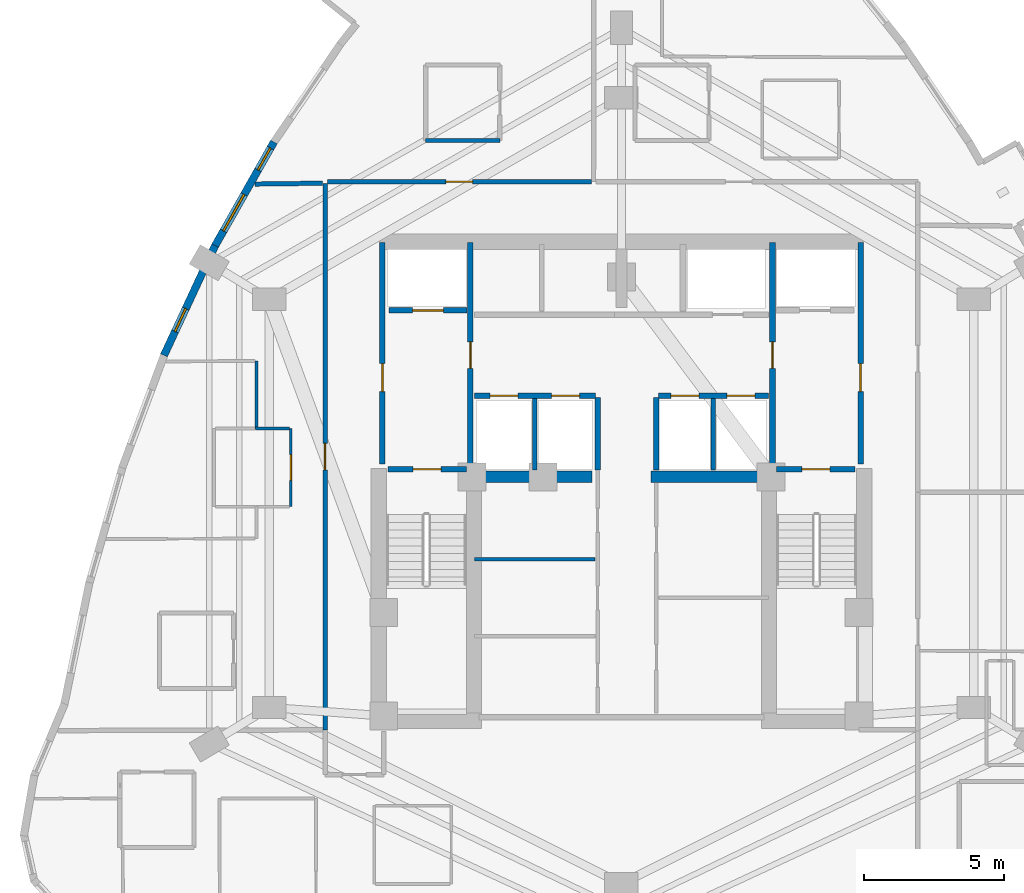
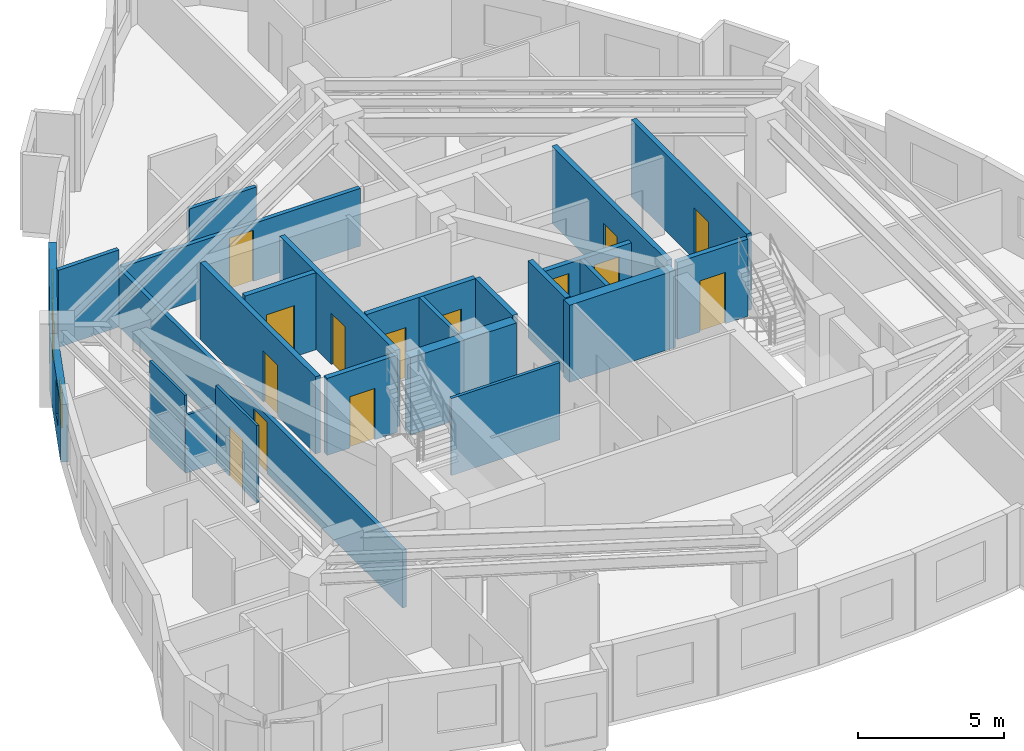
# One storey, part 7 of 11: 25 walls, 14 doors, 3 windows, 17 openings.
"""IFC4 building model written with IfcOpenShell, lengths in metres."""

import ifcopenshell
import ifcopenshell.guid

model = None  # the IFC model being written
_history = None  # IfcOwnerHistory: only IFC2X3 demands one
_inside = {}  # id of a spatial element -> (the spatial element, [elements in it])
_under = {}  # id of a project, library or spatial element -> (it, [spatial elements below it])
_declared = {}  # id of a project -> (the project, [libraries it declares])
_typed = {}  # id of a type object -> (the type object, [elements of that type])
_made_of = {}  # id of a material, layer set ... -> (it, [elements and type objects made of it])


def new_model(schema):
    """Start an empty IFC model of exactly this schema.

    Asked for "IFC4X3", IfcOpenShell would pick the latest addendum, in which some entities
    have other attributes; the version numbers below select the first issue.
    IFC2X3 requires an IfcOwnerHistory on every rooted entity: one is made here for all.
    """
    global model, _history
    if schema == "IFC4X3":
        model = ifcopenshell.file(schema_version=(4, 3, 0, 0))
    else:
        model = ifcopenshell.file(schema=schema)
    _inside.clear()
    _under.clear()
    _declared.clear()
    _typed.clear()
    _made_of.clear()
    _history = None
    if model.schema == "IFC2X3":
        org = make("IfcOrganization", Name="unknown")
        user = make(
            "IfcPersonAndOrganization",
            ThePerson=make("IfcPerson", FamilyName="unknown"),
            TheOrganization=org,
        )
        app = make(
            "IfcApplication",
            ApplicationDeveloper=org,
            Version="unknown",
            ApplicationFullName="unknown",
            ApplicationIdentifier="unknown",
        )
        _history = make(
            "IfcOwnerHistory",
            OwningUser=user,
            OwningApplication=app,
            ChangeAction="ADDED",
            CreationDate=0,
        )
    return model


def make(cls, **values):
    """One entity of the class cls with the attributes given. An attribute that is None is left unset."""
    return model.create_entity(
        cls, **{name: value for name, value in values.items() if value is not None}
    )


def rooted(cls, **values):
    """An entity with a GlobalId (a new one), such as an element, a storey or a relation."""
    return make(cls, GlobalId=ifcopenshell.guid.new(), OwnerHistory=_history, **values)


def si_unit(unit_type, name, prefix=None):
    """IfcSIUnit, for example si_unit("LENGTHUNIT", "METRE", prefix="MILLI")."""
    return make("IfcSIUnit", UnitType=unit_type, Prefix=prefix, Name=name)


def assignment(units):
    """IfcUnitAssignment: the units of a project."""
    return None if units is None else make("IfcUnitAssignment", Units=units)


def point(xyz):
    """IfcCartesianPoint."""
    return None if xyz is None else make("IfcCartesianPoint", Coordinates=xyz)


def direction(xyz):
    """IfcDirection."""
    return None if xyz is None else make("IfcDirection", DirectionRatios=xyz)


def frame(location, z_axis=None, x_axis=None):
    """IfcAxis2Placement3D, a coordinate frame: its origin and axes. An axis left out is left unset."""
    return make(
        "IfcAxis2Placement3D",
        Location=point(location),
        Axis=direction(z_axis),
        RefDirection=direction(x_axis),
    )


def frame_2d(location, x_axis=None):
    """IfcAxis2Placement2D, a coordinate frame in the plane: its origin and x axis."""
    return make(
        "IfcAxis2Placement2D", Location=point(location), RefDirection=direction(x_axis)
    )


def origin():
    """The frame at (0, 0, 0) with its axes left unset."""
    return frame((0.0, 0.0, 0.0))


def place(relative_to, where):
    """IfcLocalPlacement: puts the frame where relative to a parent placement (None: the world)."""
    return make(
        "IfcLocalPlacement", PlacementRelTo=relative_to, RelativePlacement=where
    )


def context(
    kind, dimensions, precision=None, world=None, true_north=None, identifier=None
):
    """IfcGeometricRepresentationContext, for example the 3D "Model" context."""
    return make(
        "IfcGeometricRepresentationContext",
        ContextIdentifier=identifier,
        ContextType=kind,
        CoordinateSpaceDimension=dimensions,
        Precision=precision,
        WorldCoordinateSystem=world,
        TrueNorth=true_north,
    )


def subcontext(parent, identifier, kind, view, scale=None):
    """IfcGeometricRepresentationSubContext, for example "Body" below "Model"."""
    return make(
        "IfcGeometricRepresentationSubContext",
        ContextIdentifier=identifier,
        ContextType=kind,
        ParentContext=parent,
        TargetScale=scale,
        TargetView=view,
    )


def project(units=None, contexts=None):
    """IfcProject with its units and contexts."""
    return rooted(
        "IfcProject",
        Name="project",
        RepresentationContexts=contexts,
        UnitsInContext=assignment(units),
    )


def spatial(cls, under=None, at=None, **own):
    """A site, building, storey or space (cls), placed at a placement, below another one or the project."""
    s = rooted(cls, ObjectPlacement=at, **own)
    if under is not None:
        _under.setdefault(under.id(), (under, []))[1].append(s)
    return s


def profile(cls, at=None, kind="AREA", **sizes):
    """A parametric profile (cls). Its sizes go by their IFC names, for example OverallWidth=200.0."""
    return make(cls, ProfileType=kind, Position=at, **sizes)


def rectangle(**sizes):
    """IfcRectangleProfileDef."""
    return profile("IfcRectangleProfileDef", **sizes)


def extrude(swept, where, along, depth):
    """IfcExtrudedAreaSolid: the profile swept, set in the frame where, extruded along a direction by depth."""
    return make(
        "IfcExtrudedAreaSolid",
        SweptArea=swept,
        Position=where,
        ExtrudedDirection=direction(along),
        Depth=depth,
    )


def shape(context_of_items, identifier, shape_type, items):
    """IfcShapeRepresentation: the items that make up one representation, for example the "Body"."""
    return make(
        "IfcShapeRepresentation",
        ContextOfItems=context_of_items,
        RepresentationIdentifier=identifier,
        RepresentationType=shape_type,
        Items=items,
    )


def material(Name=None, Category=None):
    """IfcMaterial."""
    return make("IfcMaterial", Name=Name, Category=Category)


def layer(
    of_material, thickness, ventilated=None, Name=None, Category=None, Priority=None
):
    """IfcMaterialLayer: one layer of a wall or slab, of a material (None: an air gap)."""
    return make(
        "IfcMaterialLayer",
        Material=of_material,
        LayerThickness=thickness,
        IsVentilated=ventilated,
        Name=Name,
        Category=Category,
        Priority=Priority,
    )


def layer_set(layers, Name=None):
    """IfcMaterialLayerSet."""
    return make("IfcMaterialLayerSet", MaterialLayers=layers, LayerSetName=Name)


def made_of(thing, what):
    """Note that an element or type object is made of a material, layer set ...; save() writes the relation."""
    if what is not None:
        _made_of.setdefault(what.id(), (what, []))[1].append(thing)
    return thing


def type_object(cls, material=None, **own):
    """A type object (cls), such as IfcWallType, which elements share."""
    return made_of(rooted(cls, **own), material)


def element(
    cls,
    number,
    at=None,
    inside=None,
    cuts=None,
    type_object=None,
    material=None,
    context=None,
    identifier="Body",
    shape_type=None,
    held_by="IfcProductDefinitionShape",
    body=None,
    shapes=None,
    **own,
):
    """One element of the class cls, such as IfcWall. Its Tag is "e" and its number.

    at: its placement. inside: the storey or other place that contains it. cuts: it is an
    opening in that element (IfcRelVoidsElement). A single representation is given by context,
    identifier, shape_type and body (its items); several are given by shapes. held_by: the class
    of the entity that holds the representations. save() writes the other relations.
    """
    e = rooted(cls, Tag="e%d" % number, ObjectPlacement=at, **own)
    if body is not None:
        shapes = [shape(context, identifier, shape_type, body)]
    if shapes is not None:
        e.Representation = make(held_by, Representations=shapes)
    if inside is not None:
        _inside.setdefault(inside.id(), (inside, []))[1].append(e)
    if cuts is not None:
        rooted(
            "IfcRelVoidsElement", RelatingBuildingElement=cuts, RelatedOpeningElement=e
        )
    if type_object is not None:
        _typed.setdefault(type_object.id(), (type_object, []))[1].append(e)
    return made_of(e, material)


def fill(opening, filler):
    """IfcRelFillsElement: the door or window that sits in an opening."""
    return rooted(
        "IfcRelFillsElement",
        RelatingOpeningElement=opening,
        RelatedBuildingElement=filler,
    )


def aggregate(whole, parts):
    """IfcRelAggregates: a whole, such as a stair, and the parts it consists of."""
    return rooted("IfcRelAggregates", RelatingObject=whole, RelatedObjects=parts)


def save(model, path):
    """Write the relations noted so far, then the file.

    IfcRelAggregates (storeys below a building ...), IfcRelContainedInSpatialStructure (elements
    in a storey), IfcRelDefinesByType, IfcRelAssociatesMaterial and IfcRelDeclares: one each for
    every whole, place, type object, material and project.
    """
    for whole, parts in _under.values():
        aggregate(whole, parts)
    for where, things in _inside.values():
        rooted(
            "IfcRelContainedInSpatialStructure",
            RelatedElements=things,
            RelatingStructure=where,
        )
    for kind, things in _typed.values():
        rooted("IfcRelDefinesByType", RelatedObjects=things, RelatingType=kind)
    for what, things in _made_of.values():
        rooted("IfcRelAssociatesMaterial", RelatedObjects=things, RelatingMaterial=what)
    for by, libraries in _declared.values():
        rooted("IfcRelDeclares", RelatingContext=by, RelatedDefinitions=libraries)
    model.write(path)


model = new_model("IFC4")

# Units and contexts
model_context = context("Model", 3, precision=1e-05, world=origin(), true_north=direction((0.0, 1.0)))
body_context = subcontext(model_context, "Body", "Model", "MODEL_VIEW")
ifc_project = project(units=[si_unit("LENGTHUNIT", "METRE"), si_unit("AREAUNIT", "SQUARE_METRE"), si_unit("VOLUMEUNIT", "CUBIC_METRE"), si_unit("PLANEANGLEUNIT", "RADIAN"), si_unit("MASSUNIT", "GRAM", prefix="KILO")], contexts=[model_context])

# Site, building, storey
site_placement = place(None, origin())
site = spatial("IfcSite", under=ifc_project, at=site_placement, CompositionType="ELEMENT")
building_placement = place(site_placement, origin())
building = spatial("IfcBuilding", under=site, at=building_placement, Name="Miruveldt Soraemaru", CompositionType="ELEMENT")
storey_placement = place(building_placement, frame((0.0, 0.0, 156.39990234375)))
storey = spatial("IfcBuildingStorey", under=building, at=storey_placement, Name="L43", CompositionType="ELEMENT", Elevation=156.39990234375)

# Walls
ifc_material_1 = material(Name="Concrete C70/85 (70 MPa)", Category="concrete")
ifc_layer_1 = layer(ifc_material_1, 0.5, Name="Concrete C70/85 (70 MPa)", Category="concrete")
ifc_layer_set_1 = layer_set([ifc_layer_1], Name="Concrete C70/85 (70 MPa)")
wall_type_1 = type_object("IfcWallType", Name="WALL-BW-500", PredefinedType="SHEAR", material=ifc_layer_set_1)
for number, where, z_axis, x_axis, name in (
    (1, (38.75, 44.050048828125, 0.0), (0.0, 0.0, 1.0), (1.0, 0.0, 0.0), "L43 Core Buttress Shear Wall BW"),
    (2, (45.050048828125, 44.050048828125, 0.0), (0.0, 0.0, 1.0), (1.0, 0.0, 0.0), "L43 Core Buttress Shear Wall BE"),
):
    element("IfcWall", number, at=place(storey_placement, frame(where, z_axis=z_axis, x_axis=x_axis)), inside=storey, type_object=wall_type_1, Name=name, PredefinedType="SHEAR", context=body_context, shape_type="SweptSolid", body=[
        extrude(rectangle(XDim=4.199951171875, YDim=0.39990234375, at=frame_2d((2.10009765625, 0.0))), origin(), (0.0, 0.0, 1.0), 3.235107421875),
    ])

# Wall, openings, windows
ifc_material_2 = material(Name="Precast concrete C45/55 (45 MPa)", Category="concrete")
ifc_layer_2 = layer(ifc_material_2, 0.27001953125, Name="Precast concrete C45/55 (45 MPa)", Category="concrete")
ifc_layer_set_2 = layer_set([ifc_layer_2], Name="Precast concrete C45/55 (45 MPa)")
wall_type_2 = type_object("IfcWallType", Name="WALL-EXT-PC270", PredefinedType="SOLIDWALL", material=ifc_layer_set_2)
wall_1_placement = place(storey_placement, frame((31.572998046875, 56.025390625, 0.0), z_axis=(0.0, 0.0, 1.0), x_axis=(-0.493368115597, -0.869820615134, 0.0)))
wall_1 = element("IfcWall", 3, at=wall_1_placement, inside=storey, type_object=wall_type_2, Name="L43 Precast Concrete Facade Wall 10", PredefinedType="SOLIDWALL", context=body_context, shape_type="SweptSolid", body=[
    extrude(rectangle(XDim=4.330810546875, YDim=0.27001953125, at=frame_2d((2.16552734375, 0.0))), origin(), (0.0, 0.0, 1.0), 3.235107421875),
])
opening_1_placement = place(wall_1_placement, frame((0.25390625, 0.0, 0.780029296875)))
opening_1 = element("IfcOpeningElement", 4, at=opening_1_placement, cuts=wall_1, Name="Opening WN-7", PredefinedType="OPENING", context=body_context, shape_type="SweptSolid", body=[
    extrude(rectangle(XDim=0.89990234375, YDim=1.5, at=frame_2d((0.449951171875, 0.75))), frame((0.0, 0.14501953125, 0.0), z_axis=(0.0, -1.0, 0.0), x_axis=(1.0, 0.0, 0.0)), (0.0, 0.0, 1.0), 0.2900390625),
])
opening_2_placement = place(wall_1_placement, frame((2.158935546875, 0.0, 0.800048828125)))
opening_2 = element("IfcOpeningElement", 5, at=opening_2_placement, cuts=wall_1, Name="Opening WN-3", PredefinedType="OPENING", context=body_context, shape_type="SweptSolid", body=[
    extrude(rectangle(XDim=1.5, YDim=1.60009765625, at=frame_2d((0.75, 0.800048828125))), frame((0.0, 0.14501953125, 0.0), z_axis=(0.0, -1.0, 0.0), x_axis=(1.0, 0.0, 0.0)), (0.0, 0.0, 1.0), 0.2900390625),
])
ifc_material_3 = material(Name="Triple low-e insulated glazing", Category="glass")
window_type_1 = type_object("IfcWindowType", Name="WIN-PUNCH-1500x1600", PartitioningType="SINGLE_PANEL", PredefinedType="WINDOW", material=ifc_material_3)
window_1_placement = place(opening_2_placement, origin())
window_1 = element("IfcWindow", 6, at=window_1_placement, inside=storey, type_object=window_type_1, Name="L43 Punched Triple-Glazed Window 10.2", OverallHeight=1.60009765625, OverallWidth=1.5, PartitioningType="SINGLE_PANEL", PredefinedType="WINDOW", context=body_context, shape_type="SweptSolid", body=[
    extrude(rectangle(XDim=1.5, YDim=1.60009765625, at=frame_2d((0.75, 0.800048828125))), frame((0.0, 0.030029296875, 0.0), z_axis=(0.0, -1.0, 0.0), x_axis=(1.0, 0.0, 0.0)), (0.0, 0.0, 1.0), 0.06005859375),
])
fill(opening_2, window_1)
window_type_2 = type_object("IfcWindowType", Name="WIN-PUNCH-900x1500", PartitioningType="SINGLE_PANEL", PredefinedType="WINDOW", material=ifc_material_3)
window_2_placement = place(opening_1_placement, origin())
window_2 = element("IfcWindow", 7, at=window_2_placement, inside=storey, type_object=window_type_2, Name="L43 Punched Triple-Glazed Window 10.1", OverallHeight=1.5, OverallWidth=0.89990234375, PartitioningType="SINGLE_PANEL", PredefinedType="WINDOW", context=body_context, shape_type="SweptSolid", body=[
    extrude(rectangle(XDim=0.89990234375, YDim=1.5, at=frame_2d((0.449951171875, 0.75))), frame((0.0, 0.030029296875, 0.0), z_axis=(0.0, -1.0, 0.0), x_axis=(1.0, 0.0, 0.0)), (0.0, 0.0, 1.0), 0.06005859375),
])
fill(opening_1, window_2)

# Wall, opening, window
wall_2_placement = place(storey_placement, frame((29.46826171875, 52.3203125, 0.0), z_axis=(0.0, 0.0, 1.0), x_axis=(-0.422329907361, -0.906442193054, 0.0)))
wall_2 = element("IfcWall", 8, at=wall_2_placement, inside=storey, type_object=wall_type_2, Name="L43 Precast Concrete Facade Wall 11", PredefinedType="SOLIDWALL", context=body_context, shape_type="SweptSolid", body=[
    extrude(rectangle(XDim=4.3310546875, YDim=0.27001953125, at=frame_2d((2.16552734375, 0.0))), origin(), (0.0, 0.0, 1.0), 2.423095703125),
])
opening_3_placement = place(wall_2_placement, frame((2.487060546875, 0.0, 0.762939453125)))
opening_3 = element("IfcOpeningElement", 9, at=opening_3_placement, cuts=wall_2, Name="Opening WN-7", PredefinedType="OPENING", context=body_context, shape_type="SweptSolid", body=[
    extrude(rectangle(XDim=0.89990234375, YDim=1.5, at=frame_2d((0.449951171875, 0.75))), frame((0.0, 0.14501953125, 0.0), z_axis=(0.0, -1.0, 0.0), x_axis=(1.0, 0.0, 0.0)), (0.0, 0.0, 1.0), 0.2900390625),
])
window_3_placement = place(opening_3_placement, origin())
window_3 = element("IfcWindow", 10, at=window_3_placement, inside=storey, type_object=window_type_2, Name="L43 Punched Triple-Glazed Window 11.1", OverallHeight=1.5, OverallWidth=0.89990234375, PartitioningType="SINGLE_PANEL", PredefinedType="WINDOW", context=body_context, shape_type="SweptSolid", body=[
    extrude(rectangle(XDim=0.89990234375, YDim=1.5, at=frame_2d((0.449951171875, 0.75))), frame((0.0, 0.030029296875, 0.0), z_axis=(0.0, -1.0, 0.0), x_axis=(1.0, 0.0, 0.0)), (0.0, 0.0, 1.0), 0.06005859375),
])
fill(opening_3, window_3)

# Wall, opening, door
ifc_material_4 = material(Name="Gypsum plasterboard lining", Category="gypsum")
ifc_layer_3 = layer(ifc_material_4, 0.10009765625, Name="Gypsum plasterboard lining", Category="gypsum")
ifc_layer_set_3 = layer_set([ifc_layer_3], Name="Gypsum plasterboard lining")
wall_type_3 = type_object("IfcWallType", Name="WALL-INT-P100", PredefinedType="PARTITIONING", material=ifc_layer_set_3)
wall_3_placement = place(storey_placement, frame((32.177001953125, 42.98095703125, 0.0), z_axis=(0.0, 0.0, 1.0), x_axis=(0.0, 1.0, 0.0)))
wall_3 = element("IfcWall", 11, at=wall_3_placement, inside=storey, type_object=wall_type_3, Name="L43 Partition Wall 35", PredefinedType="PARTITIONING", context=body_context, shape_type="SweptSolid", body=[
    extrude(rectangle(XDim=2.800048828125, YDim=0.10009765625, at=frame_2d((1.39990234375, 0.0))), origin(), (0.0, 0.0, 1.0), 3.235107421875),
])
opening_4_placement = place(wall_3_placement, frame((0.93994140625, 0.0, 0.0)))
opening_4 = element("IfcOpeningElement", 12, at=opening_4_placement, cuts=wall_3, Name="Opening D3A", PredefinedType="OPENING", context=body_context, shape_type="SweptSolid", body=[
    extrude(rectangle(XDim=0.919921875, YDim=2.10009765625, at=frame_2d((0.4599609375, 1.050048828125))), frame((0.0, 0.06005859375, 0.0), z_axis=(0.0, -1.0, 0.0), x_axis=(1.0, 0.0, 0.0)), (0.0, 0.0, 1.0), 0.1201171875),
])
ifc_material_5 = material(Name="Anodised aluminium EN AW-6063 T6", Category="aluminium")
door_type_1 = type_object("IfcDoorType", Name="DOOR-INT-920", OperationType="NOTDEFINED", PredefinedType="DOOR", material=ifc_material_5)
door_1_placement = place(opening_4_placement, origin())
door_1 = element("IfcDoor", 13, at=door_1_placement, inside=storey, type_object=door_type_1, Name="L43 Unit 4303 KIT Door", OperationType="SINGLE_SWING_LEFT", OverallHeight=2.10009765625, OverallWidth=0.919921875, PredefinedType="DOOR", context=body_context, shape_type="SweptSolid", body=[
    extrude(rectangle(XDim=0.919921875, YDim=2.10009765625, at=frame_2d((0.4599609375, 1.050048828125))), frame((0.0, 0.02490234375, 0.0), z_axis=(0.0, -1.0, 0.0), x_axis=(1.0, 0.0, 0.0)), (0.0, 0.0, 1.0), 0.050048828125),
])
fill(opening_4, door_1)

# Walls
wall_4_placement = place(storey_placement, frame((30.949951171875, 48.196044921875, 0.0), z_axis=(0.0, 0.0, 1.0), x_axis=(0.0, -1.0, 0.0)))
element("IfcWall", 14, at=wall_4_placement, inside=storey, type_object=wall_type_3, Name="L43 Partition Wall 39", PredefinedType="PARTITIONING", context=body_context, shape_type="SweptSolid", body=[
    extrude(rectangle(XDim=2.4150390625, YDim=0.10009765625, at=frame_2d((1.20751953125, 0.0))), origin(), (0.0, 0.0, 1.0), 3.235107421875),
])
wall_5_placement = place(storey_placement, frame((32.126953125, 45.781005859375, 0.0), z_axis=(0.0, 0.0, 1.0), x_axis=(-1.0, 0.0, 0.0)))
element("IfcWall", 15, at=wall_5_placement, inside=storey, type_object=wall_type_3, Name="L43 Partition Wall 36", PredefinedType="PARTITIONING", context=body_context, shape_type="SweptSolid", body=[
    extrude(rectangle(XDim=1.217041015625, YDim=0.10009765625, at=frame_2d((0.6083984375, 0.0))), origin(), (0.0, 0.0, 1.0), 2.423095703125),
])
ifc_layer_4 = layer(ifc_material_4, 0.1201171875, Name="Gypsum plasterboard lining", Category="gypsum")
ifc_layer_set_4 = layer_set([ifc_layer_4], Name="Gypsum plasterboard lining")
wall_type_4 = type_object("IfcWallType", Name="WALL-INT-P120", PredefinedType="PARTITIONING", material=ifc_layer_set_4)
wall_6_placement = place(storey_placement, frame((38.75, 41.10009765625, 0.0), z_axis=(0.0, 0.0, 1.0), x_axis=(1.0, 0.0, 0.0)))
element("IfcWall", 16, at=wall_6_placement, inside=storey, type_object=wall_type_4, Name="L43 Core Compartment Wall RL-W3B", PredefinedType="PARTITIONING", context=body_context, shape_type="SweptSolid", body=[
    extrude(rectangle(XDim=4.300048828125, YDim=0.1201171875, at=frame_2d((2.14990234375, 0.0))), origin(), (0.0, 0.0, 1.0), 3.235107421875),
])
ifc_layer_5 = layer(ifc_material_4, 0.14990234375, Name="Gypsum plasterboard lining", Category="gypsum")
ifc_layer_set_5 = layer_set([ifc_layer_5], Name="Gypsum plasterboard lining")
wall_type_5 = type_object("IfcWallType", Name="WALL-INT-PLUMB", PredefinedType="PLUMBINGWALL", material=ifc_layer_set_5)
wall_7_placement = place(storey_placement, frame((37.0, 56.080078125, 0.0), z_axis=(0.0, 0.0, 1.0), x_axis=(1.0, 0.0, 0.0)))
element("IfcWall", 17, at=wall_7_placement, inside=storey, type_object=wall_type_5, Name="L43 Partition Wall 14", PredefinedType="PLUMBINGWALL", context=body_context, shape_type="SweptSolid", body=[
    extrude(rectangle(XDim=2.64990234375, YDim=0.14990234375, at=frame_2d((1.324951171875, 0.0))), origin(), (0.0, 0.0, 1.0), 2.72314453125),
])

# Wall, opening, door
ifc_material_6 = material(Name="Concrete C40/50 (40 MPa)", Category="concrete")
ifc_layer_6 = layer(ifc_material_6, 0.159912109375, Name="Concrete C40/50 (40 MPa)", Category="concrete")
ifc_layer_set_6 = layer_set([ifc_layer_6], Name="Concrete C40/50 (40 MPa)")
wall_type_6 = type_object("IfcWallType", Name="WALL-INT-RC160", PredefinedType="SOLIDWALL", material=ifc_layer_set_6)
wall_8_placement = place(storey_placement, frame((33.39990234375, 54.544921875, 0.0), z_axis=(0.0, 0.0, 1.0), x_axis=(0.0, -1.0, 0.0)))
wall_8 = element("IfcWall", 18, at=wall_8_placement, inside=storey, type_object=wall_type_6, Name="L43 Partition Wall 4", PredefinedType="SOLIDWALL", context=body_context, shape_type="SweptSolid", body=[
    extrude(rectangle(XDim=19.5400390625, YDim=0.159912109375, at=frame_2d((9.77001953125, 0.0))), origin(), (0.0, 0.0, 1.0), 2.423095703125),
])
opening_5_placement = place(wall_8_placement, frame((9.294921875, 0.0, 0.0)))
opening_5 = element("IfcOpeningElement", 19, at=opening_5_placement, cuts=wall_8, Name="Opening FD2", PredefinedType="OPENING", context=body_context, shape_type="SweptSolid", body=[
    extrude(rectangle(XDim=0.949951171875, YDim=2.14990234375, at=frame_2d((0.47509765625, 1.074951171875))), frame((0.0, 0.08984375, 0.0), z_axis=(0.0, -1.0, 0.0), x_axis=(1.0, 0.0, 0.0)), (0.0, 0.0, 1.0), 0.179931640625),
])
door_type_2 = type_object("IfcDoorType", Name="DOOR-FD2-950", OperationType="NOTDEFINED", PredefinedType="DOOR", material=ifc_material_5)
door_2_placement = place(opening_5_placement, origin())
door_2 = element("IfcDoor", 20, at=door_2_placement, inside=storey, type_object=door_type_2, Name="L43 Unit 4303 Entrance Fire Door", OperationType="SINGLE_SWING_LEFT", OverallHeight=2.14990234375, OverallWidth=0.949951171875, PredefinedType="DOOR", context=body_context, shape_type="SweptSolid", body=[
    extrude(rectangle(XDim=0.949951171875, YDim=2.14990234375, at=frame_2d((0.47509765625, 1.074951171875))), frame((0.0, 0.02490234375, 0.0), z_axis=(0.0, -1.0, 0.0), x_axis=(1.0, 0.0, 0.0)), (0.0, 0.0, 1.0), 0.050048828125),
])
fill(opening_5, door_2)

wall_9_placement = place(storey_placement, frame((42.919921875, 54.60009765625, 0.0), z_axis=(0.0, 0.0, 1.0), x_axis=(-1.0, 0.0, 0.0)))
wall_9 = element("IfcWall", 21, at=wall_9_placement, inside=storey, type_object=wall_type_6, Name="L43 Partition Wall 1", PredefinedType="SOLIDWALL", context=body_context, shape_type="SweptSolid", body=[
    extrude(rectangle(XDim=9.43994140625, YDim=0.159912109375, at=frame_2d((4.719970703125, 0.0))), origin(), (0.0, 0.0, 1.0), 2.423095703125),
])
opening_6_placement = place(wall_9_placement, frame((4.2451171875, 0.0, 0.0)))
opening_6 = element("IfcOpeningElement", 22, at=opening_6_placement, cuts=wall_9, Name="Opening FD2", PredefinedType="OPENING", context=body_context, shape_type="SweptSolid", body=[
    extrude(rectangle(XDim=0.949951171875, YDim=2.14990234375, at=frame_2d((0.47509765625, 1.074951171875))), frame((0.0, 0.08984375, 0.0), z_axis=(0.0, -1.0, 0.0), x_axis=(1.0, 0.0, 0.0)), (0.0, 0.0, 1.0), 0.179931640625),
])
door_3_placement = place(opening_6_placement, origin())
door_3 = element("IfcDoor", 23, at=door_3_placement, inside=storey, type_object=door_type_2, Name="L43 Unit CL01 Entrance Fire Door", OperationType="SINGLE_SWING_RIGHT", OverallHeight=2.14990234375, OverallWidth=0.949951171875, PredefinedType="DOOR", context=body_context, shape_type="SweptSolid", body=[
    extrude(rectangle(XDim=0.949951171875, YDim=2.14990234375, at=frame_2d((0.47509765625, 1.074951171875))), frame((0.0, 0.02490234375, 0.0), z_axis=(0.0, -1.0, 0.0), x_axis=(1.0, 0.0, 0.0)), (0.0, 0.0, 1.0), 0.050048828125),
])
fill(opening_6, door_3)

# Walls
wall_10_placement = place(storey_placement, frame((40.89990234375, 44.300048828125, 0.0), z_axis=(0.0, 0.0, 1.0), x_axis=(0.0, 1.0, 0.0)))
element("IfcWall", 24, at=wall_10_placement, inside=storey, type_object=wall_type_6, Name="L43 Core Compartment Wall PLM-DW", PredefinedType="SOLIDWALL", context=body_context, shape_type="SweptSolid", body=[
    extrude(rectangle(XDim=2.550048828125, YDim=0.159912109375, at=frame_2d((1.27490234375, 0.0))), origin(), (0.0, 0.0, 1.0), 3.235107421875),
])
wall_11_placement = place(storey_placement, frame((47.280029296875, 44.300048828125, 0.0), z_axis=(0.0, 0.0, 1.0), x_axis=(0.0, 1.0, 0.0)))
element("IfcWall", 25, at=wall_11_placement, inside=storey, type_object=wall_type_6, Name="L43 Core Compartment Wall PLM-DE", PredefinedType="SOLIDWALL", context=body_context, shape_type="SweptSolid", body=[
    extrude(rectangle(XDim=2.550048828125, YDim=0.159912109375, at=frame_2d((1.27490234375, 0.0))), origin(), (0.0, 0.0, 1.0), 2.572998046875),
])
wall_12_placement = place(storey_placement, frame((30.889892578125, 54.51806640625, 0.0), z_axis=(0.0, 0.0, 1.0), x_axis=(0.999918273419, 0.01278461902, 0.0)))
element("IfcWall", 26, at=wall_12_placement, inside=storey, type_object=wall_type_6, Name="L43 Partition Wall 16", PredefinedType="SOLIDWALL", context=body_context, shape_type="SweptSolid", body=[
    extrude(rectangle(XDim=2.42529296875, YDim=0.159912109375, at=frame_2d((1.212646484375, 0.0))), origin(), (0.0, 0.0, 1.0), 3.235107421875),
])

# Wall, opening, door
ifc_layer_7 = layer(ifc_material_6, 0.199951171875, Name="Concrete C40/50 (40 MPa)", Category="concrete")
ifc_layer_set_7 = layer_set([ifc_layer_7], Name="Concrete C40/50 (40 MPa)")
wall_type_7 = type_object("IfcWallType", Name="WALL-INT-RC200", PredefinedType="SOLIDWALL", material=ifc_layer_set_7)
wall_13_placement = place(storey_placement, frame((35.449951171875, 44.5, 0.0), z_axis=(0.0, 0.0, 1.0), x_axis=(0.0, 1.0, 0.0)))
wall_13 = element("IfcWall", 27, at=wall_13_placement, inside=storey, type_object=wall_type_7, Name="L43 Core Compartment Wall FFW-OUT", PredefinedType="SOLIDWALL", context=body_context, shape_type="SweptSolid", body=[
    extrude(rectangle(XDim=7.919921875, YDim=0.199951171875, at=frame_2d((3.9599609375, 0.0))), origin(), (0.0, 0.0, 1.0), 3.235107421875),
])
opening_7_placement = place(wall_13_placement, frame((2.60009765625, 0.0, 0.0)))
opening_7 = element("IfcOpeningElement", 28, at=opening_7_placement, cuts=wall_13, Name="Opening FD1", PredefinedType="OPENING", context=body_context, shape_type="SweptSolid", body=[
    extrude(rectangle(XDim=1.0, YDim=2.14990234375, at=frame_2d((0.5, 1.074951171875))), frame((0.0, 0.10986328125, 0.0), z_axis=(0.0, -1.0, 0.0), x_axis=(1.0, 0.0, 0.0)), (0.0, 0.0, 1.0), 0.219970703125),
])
door_type_3 = type_object("IfcDoorType", Name="DOOR-FD1-1000", OperationType="NOTDEFINED", PredefinedType="DOOR", material=ifc_material_5)
door_4_placement = place(opening_7_placement, origin())
door_4 = element("IfcDoor", 29, at=door_4_placement, inside=storey, type_object=door_type_3, Name="L43 West Firefighting Lobby Exit Door", OperationType="SINGLE_SWING_LEFT", OverallHeight=2.14990234375, OverallWidth=1.0, PredefinedType="DOOR", context=body_context, shape_type="SweptSolid", body=[
    extrude(rectangle(XDim=1.0, YDim=2.14990234375, at=frame_2d((0.5, 1.074951171875))), frame((0.0, 0.02490234375, 0.0), z_axis=(0.0, -1.0, 0.0), x_axis=(1.0, 0.0, 0.0)), (0.0, 0.0, 1.0), 0.050048828125),
])
fill(opening_7, door_4)

wall_14_placement = place(storey_placement, frame((52.550048828125, 44.5, 0.0), z_axis=(0.0, 0.0, 1.0), x_axis=(0.0, 1.0, 0.0)))
wall_14 = element("IfcWall", 30, at=wall_14_placement, inside=storey, type_object=wall_type_7, Name="L43 Core Compartment Wall FFE-OUT", PredefinedType="SOLIDWALL", context=body_context, shape_type="SweptSolid", body=[
    extrude(rectangle(XDim=7.919921875, YDim=0.199951171875, at=frame_2d((3.9599609375, 0.0))), origin(), (0.0, 0.0, 1.0), 3.235107421875),
])
opening_8_placement = place(wall_14_placement, frame((2.60009765625, 0.0, 0.0)))
opening_8 = element("IfcOpeningElement", 31, at=opening_8_placement, cuts=wall_14, Name="Opening FD1", PredefinedType="OPENING", context=body_context, shape_type="SweptSolid", body=[
    extrude(rectangle(XDim=1.0, YDim=2.14990234375, at=frame_2d((0.5, 1.074951171875))), frame((0.0, 0.10986328125, 0.0), z_axis=(0.0, -1.0, 0.0), x_axis=(1.0, 0.0, 0.0)), (0.0, 0.0, 1.0), 0.219970703125),
])
door_5_placement = place(opening_8_placement, frame((1.0, 0.0, 0.0), z_axis=(0.0, 0.0, 1.0), x_axis=(-1.0, 0.0, 0.0)))
door_5 = element("IfcDoor", 32, at=door_5_placement, inside=storey, type_object=door_type_3, Name="L43 East Firefighting Lobby Exit Door", OperationType="SINGLE_SWING_RIGHT", OverallHeight=2.14990234375, OverallWidth=1.0, PredefinedType="DOOR", context=body_context, shape_type="SweptSolid", body=[
    extrude(rectangle(XDim=1.0, YDim=2.14990234375, at=frame_2d((0.5, 1.074951171875))), frame((0.0, 0.02490234375, 0.0), z_axis=(0.0, -1.0, 0.0), x_axis=(1.0, 0.0, 0.0)), (0.0, 0.0, 1.0), 0.050048828125),
])
fill(opening_8, door_5)

wall_15_placement = place(storey_placement, frame((38.60009765625, 44.5, 0.0), z_axis=(0.0, 0.0, 1.0), x_axis=(0.0, 1.0, 0.0)))
wall_15 = element("IfcWall", 33, at=wall_15_placement, inside=storey, type_object=wall_type_7, Name="L43 Core Compartment Wall FFW-IN", PredefinedType="SOLIDWALL", context=body_context, shape_type="SweptSolid", body=[
    extrude(rectangle(XDim=7.919921875, YDim=0.199951171875, at=frame_2d((3.9599609375, 0.0))), origin(), (0.0, 0.0, 1.0), 3.235107421875),
])
opening_9_placement = place(wall_15_placement, frame((3.425048828125, 0.0, 0.0)))
opening_9 = element("IfcOpeningElement", 34, at=opening_9_placement, cuts=wall_15, Name="Opening FD2", PredefinedType="OPENING", context=body_context, shape_type="SweptSolid", body=[
    extrude(rectangle(XDim=0.949951171875, YDim=2.14990234375, at=frame_2d((0.47509765625, 1.074951171875))), frame((0.0, 0.10986328125, 0.0), z_axis=(0.0, -1.0, 0.0), x_axis=(1.0, 0.0, 0.0)), (0.0, 0.0, 1.0), 0.219970703125),
])
door_6_placement = place(opening_9_placement, frame((0.949951171875, 0.0, 0.0), z_axis=(0.0, 0.0, 1.0), x_axis=(-1.0, 0.0, 0.0)))
door_6 = element("IfcDoor", 35, at=door_6_placement, inside=storey, type_object=door_type_2, Name="L43 Lift Lobby to West Fire Lobby Door", OperationType="SINGLE_SWING_RIGHT", OverallHeight=2.14990234375, OverallWidth=0.949951171875, PredefinedType="DOOR", context=body_context, shape_type="SweptSolid", body=[
    extrude(rectangle(XDim=0.949951171875, YDim=2.14990234375, at=frame_2d((0.47509765625, 1.074951171875))), frame((0.0, 0.02490234375, 0.0), z_axis=(0.0, -1.0, 0.0), x_axis=(1.0, 0.0, 0.0)), (0.0, 0.0, 1.0), 0.050048828125),
])
fill(opening_9, door_6)

wall_16_placement = place(storey_placement, frame((49.39990234375, 44.5, 0.0), z_axis=(0.0, 0.0, 1.0), x_axis=(0.0, 1.0, 0.0)))
wall_16 = element("IfcWall", 36, at=wall_16_placement, inside=storey, type_object=wall_type_7, Name="L43 Core Compartment Wall FFE-IN", PredefinedType="SOLIDWALL", context=body_context, shape_type="SweptSolid", body=[
    extrude(rectangle(XDim=7.919921875, YDim=0.199951171875, at=frame_2d((3.9599609375, 0.0))), origin(), (0.0, 0.0, 1.0), 3.235107421875),
])
opening_10_placement = place(wall_16_placement, frame((3.425048828125, 0.0, 0.0)))
opening_10 = element("IfcOpeningElement", 37, at=opening_10_placement, cuts=wall_16, Name="Opening FD2", PredefinedType="OPENING", context=body_context, shape_type="SweptSolid", body=[
    extrude(rectangle(XDim=0.949951171875, YDim=2.14990234375, at=frame_2d((0.47509765625, 1.074951171875))), frame((0.0, 0.10986328125, 0.0), z_axis=(0.0, -1.0, 0.0), x_axis=(1.0, 0.0, 0.0)), (0.0, 0.0, 1.0), 0.219970703125),
])
door_7_placement = place(opening_10_placement, origin())
door_7 = element("IfcDoor", 38, at=door_7_placement, inside=storey, type_object=door_type_2, Name="L43 Lift Lobby to East Fire Lobby Door", OperationType="SINGLE_SWING_LEFT", OverallHeight=2.14990234375, OverallWidth=0.949951171875, PredefinedType="DOOR", context=body_context, shape_type="SweptSolid", body=[
    extrude(rectangle(XDim=0.949951171875, YDim=2.14990234375, at=frame_2d((0.47509765625, 1.074951171875))), frame((0.0, 0.02490234375, 0.0), z_axis=(0.0, -1.0, 0.0), x_axis=(1.0, 0.0, 0.0)), (0.0, 0.0, 1.0), 0.050048828125),
])
fill(opening_10, door_7)

# Wall, openings, doors
wall_17_placement = place(storey_placement, frame((38.75, 46.949951171875, 0.0), z_axis=(0.0, 0.0, 1.0), x_axis=(1.0, 0.0, 0.0)))
wall_17 = element("IfcWall", 39, at=wall_17_placement, inside=storey, type_object=wall_type_7, Name="L43 Core Compartment Wall MBW-N", PredefinedType="SOLIDWALL", context=body_context, shape_type="SweptSolid", body=[
    extrude(rectangle(XDim=4.330078125, YDim=0.199951171875, at=frame_2d((2.1650390625, 0.0))), origin(), (0.0, 0.0, 1.0), 3.235107421875),
])
opening_11_placement = place(wall_17_placement, frame((0.550048828125, 0.0, 0.0)))
opening_11 = element("IfcOpeningElement", 40, at=opening_11_placement, cuts=wall_17, Name="Opening LD1B", PredefinedType="OPENING", context=body_context, shape_type="SweptSolid", body=[
    extrude(rectangle(XDim=1.0, YDim=2.14990234375, at=frame_2d((0.5, 1.074951171875))), frame((0.0, 0.10986328125, 0.0), z_axis=(0.0, -1.0, 0.0), x_axis=(1.0, 0.0, 0.0)), (0.0, 0.0, 1.0), 0.219970703125),
])
opening_12_placement = place(wall_17_placement, frame((2.75, 0.0, 0.0)))
opening_12 = element("IfcOpeningElement", 41, at=opening_12_placement, cuts=wall_17, Name="Opening LD1B", PredefinedType="OPENING", context=body_context, shape_type="SweptSolid", body=[
    extrude(rectangle(XDim=1.0, YDim=2.14990234375, at=frame_2d((0.5, 1.074951171875))), frame((0.0, 0.10986328125, 0.0), z_axis=(0.0, -1.0, 0.0), x_axis=(1.0, 0.0, 0.0)), (0.0, 0.0, 1.0), 0.219970703125),
])
door_type_4 = type_object("IfcDoorType", Name="DOOR-LD1-1000", OperationType="SLIDING_TO_LEFT", PredefinedType="DOOR", material=ifc_material_5)
door_8_placement = place(opening_11_placement, origin())
door_8 = element("IfcDoor", 42, at=door_8_placement, inside=storey, type_object=door_type_4, Name="L43 PL-M1 Landing Door", OperationType="SLIDING_TO_LEFT", OverallHeight=2.14990234375, OverallWidth=1.0, PredefinedType="DOOR", context=body_context, shape_type="SweptSolid", body=[
    extrude(rectangle(XDim=1.0, YDim=2.14990234375, at=frame_2d((0.5, 1.074951171875))), frame((0.0, 0.02490234375, 0.0), z_axis=(0.0, -1.0, 0.0), x_axis=(1.0, 0.0, 0.0)), (0.0, 0.0, 1.0), 0.050048828125),
])
fill(opening_11, door_8)
door_9_placement = place(opening_12_placement, origin())
door_9 = element("IfcDoor", 43, at=door_9_placement, inside=storey, type_object=door_type_4, Name="L43 PL-M2 Landing Door", OperationType="SLIDING_TO_LEFT", OverallHeight=2.14990234375, OverallWidth=1.0, PredefinedType="DOOR", context=body_context, shape_type="SweptSolid", body=[
    extrude(rectangle(XDim=1.0, YDim=2.14990234375, at=frame_2d((0.5, 1.074951171875))), frame((0.0, 0.02490234375, 0.0), z_axis=(0.0, -1.0, 0.0), x_axis=(1.0, 0.0, 0.0)), (0.0, 0.0, 1.0), 0.050048828125),
])
fill(opening_12, door_9)

wall_18_placement = place(storey_placement, frame((45.320068359375, 46.949951171875, 0.0), z_axis=(0.0, 0.0, 1.0), x_axis=(1.0, 0.0, 0.0)))
wall_18 = element("IfcWall", 44, at=wall_18_placement, inside=storey, type_object=wall_type_7, Name="L43 Core Compartment Wall MBE-N", PredefinedType="SOLIDWALL", context=body_context, shape_type="SweptSolid", body=[
    extrude(rectangle(XDim=3.929931640625, YDim=0.199951171875, at=frame_2d((1.96484375, 0.0))), origin(), (0.0, 0.0, 1.0), 2.572998046875),
])
opening_13_placement = place(wall_18_placement, frame((0.449951171875, 0.0, 0.0)))
opening_13 = element("IfcOpeningElement", 45, at=opening_13_placement, cuts=wall_18, Name="Opening LD1B", PredefinedType="OPENING", context=body_context, shape_type="SweptSolid", body=[
    extrude(rectangle(XDim=1.0, YDim=2.14990234375, at=frame_2d((0.5, 1.074951171875))), frame((0.0, 0.10986328125, 0.0), z_axis=(0.0, -1.0, 0.0), x_axis=(1.0, 0.0, 0.0)), (0.0, 0.0, 1.0), 0.219970703125),
])
opening_14_placement = place(wall_18_placement, frame((2.449951171875, 0.0, 0.0)))
opening_14 = element("IfcOpeningElement", 46, at=opening_14_placement, cuts=wall_18, Name="Opening LD1B", PredefinedType="OPENING", context=body_context, shape_type="SweptSolid", body=[
    extrude(rectangle(XDim=1.0, YDim=2.14990234375, at=frame_2d((0.5, 1.074951171875))), frame((0.0, 0.10986328125, 0.0), z_axis=(0.0, -1.0, 0.0), x_axis=(1.0, 0.0, 0.0)), (0.0, 0.0, 1.0), 0.219970703125),
])
door_10_placement = place(opening_13_placement, origin())
door_10 = element("IfcDoor", 47, at=door_10_placement, inside=storey, type_object=door_type_4, Name="L43 PL-M3 Landing Door", OperationType="SLIDING_TO_LEFT", OverallHeight=2.14990234375, OverallWidth=1.0, PredefinedType="DOOR", context=body_context, shape_type="SweptSolid", body=[
    extrude(rectangle(XDim=1.0, YDim=2.14990234375, at=frame_2d((0.5, 1.074951171875))), frame((0.0, 0.02490234375, 0.0), z_axis=(0.0, -1.0, 0.0), x_axis=(1.0, 0.0, 0.0)), (0.0, 0.0, 1.0), 0.050048828125),
])
fill(opening_13, door_10)
door_11_placement = place(opening_14_placement, origin())
door_11 = element("IfcDoor", 48, at=door_11_placement, inside=storey, type_object=door_type_4, Name="L43 PL-M4 Landing Door", OperationType="SLIDING_TO_LEFT", OverallHeight=2.14990234375, OverallWidth=1.0, PredefinedType="DOOR", context=body_context, shape_type="SweptSolid", body=[
    extrude(rectangle(XDim=1.0, YDim=2.14990234375, at=frame_2d((0.5, 1.074951171875))), frame((0.0, 0.02490234375, 0.0), z_axis=(0.0, -1.0, 0.0), x_axis=(1.0, 0.0, 0.0)), (0.0, 0.0, 1.0), 0.050048828125),
])
fill(opening_14, door_11)

# Wall, opening, door
wall_19_placement = place(storey_placement, frame((35.64990234375, 44.320068359375, 0.0), z_axis=(0.0, 0.0, 1.0), x_axis=(1.0, 0.0, 0.0)))
wall_19 = element("IfcWall", 49, at=wall_19_placement, inside=storey, type_object=wall_type_7, Name="L43 Core Compartment Wall ST1-N", PredefinedType="SOLIDWALL", context=body_context, shape_type="SweptSolid", body=[
    extrude(rectangle(XDim=2.800048828125, YDim=0.199951171875, at=frame_2d((1.39990234375, 0.0))), origin(), (0.0, 0.0, 1.0), 3.235107421875),
])
opening_15_placement = place(wall_19_placement, frame((0.89990234375, 0.0, 0.0)))
opening_15 = element("IfcOpeningElement", 50, at=opening_15_placement, cuts=wall_19, Name="Opening FD1", PredefinedType="OPENING", context=body_context, shape_type="SweptSolid", body=[
    extrude(rectangle(XDim=1.0, YDim=2.14990234375, at=frame_2d((0.5, 1.074951171875))), frame((0.0, 0.10986328125, 0.0), z_axis=(0.0, -1.0, 0.0), x_axis=(1.0, 0.0, 0.0)), (0.0, 0.0, 1.0), 0.219970703125),
])
door_12_placement = place(opening_15_placement, frame((1.0, 0.0, 0.0), z_axis=(0.0, 0.0, 1.0), x_axis=(-1.0, 0.0, 0.0)))
door_12 = element("IfcDoor", 51, at=door_12_placement, inside=storey, type_object=door_type_3, Name="L43 Stair ST-1 Fire Door", OperationType="SINGLE_SWING_LEFT", OverallHeight=2.14990234375, OverallWidth=1.0, PredefinedType="DOOR", context=body_context, shape_type="SweptSolid", body=[
    extrude(rectangle(XDim=1.0, YDim=2.14990234375, at=frame_2d((0.5, 1.074951171875))), frame((0.0, 0.02490234375, 0.0), z_axis=(0.0, -1.0, 0.0), x_axis=(1.0, 0.0, 0.0)), (0.0, 0.0, 1.0), 0.050048828125),
])
fill(opening_15, door_12)

wall_20_placement = place(storey_placement, frame((49.550048828125, 44.320068359375, 0.0), z_axis=(0.0, 0.0, 1.0), x_axis=(1.0, 0.0, 0.0)))
wall_20 = element("IfcWall", 52, at=wall_20_placement, inside=storey, type_object=wall_type_7, Name="L43 Core Compartment Wall ST2-N", PredefinedType="SOLIDWALL", context=body_context, shape_type="SweptSolid", body=[
    extrude(rectangle(XDim=2.800048828125, YDim=0.199951171875, at=frame_2d((1.39990234375, 0.0))), origin(), (0.0, 0.0, 1.0), 3.235107421875),
])
opening_16_placement = place(wall_20_placement, frame((0.89990234375, 0.0, 0.0)))
opening_16 = element("IfcOpeningElement", 53, at=opening_16_placement, cuts=wall_20, Name="Opening FD1", PredefinedType="OPENING", context=body_context, shape_type="SweptSolid", body=[
    extrude(rectangle(XDim=1.0, YDim=2.14990234375, at=frame_2d((0.5, 1.074951171875))), frame((0.0, 0.10986328125, 0.0), z_axis=(0.0, -1.0, 0.0), x_axis=(1.0, 0.0, 0.0)), (0.0, 0.0, 1.0), 0.219970703125),
])
door_13_placement = place(opening_16_placement, frame((1.0, 0.0, 0.0), z_axis=(0.0, 0.0, 1.0), x_axis=(-1.0, 0.0, 0.0)))
door_13 = element("IfcDoor", 54, at=door_13_placement, inside=storey, type_object=door_type_3, Name="L43 Stair ST-2 Fire Door", OperationType="SINGLE_SWING_RIGHT", OverallHeight=2.14990234375, OverallWidth=1.0, PredefinedType="DOOR", context=body_context, shape_type="SweptSolid", body=[
    extrude(rectangle(XDim=1.0, YDim=2.14990234375, at=frame_2d((0.5, 1.074951171875))), frame((0.0, 0.02490234375, 0.0), z_axis=(0.0, -1.0, 0.0), x_axis=(1.0, 0.0, 0.0)), (0.0, 0.0, 1.0), 0.050048828125),
])
fill(opening_16, door_13)

wall_21_placement = place(storey_placement, frame((35.679931640625, 50.0, 0.0), z_axis=(0.0, 0.0, 1.0), x_axis=(1.0, 0.0, 0.0)))
wall_21 = element("IfcWall", 55, at=wall_21_placement, inside=storey, type_object=wall_type_7, Name="L43 Core Compartment Wall FFL1-S", PredefinedType="SOLIDWALL", context=body_context, shape_type="SweptSolid", body=[
    extrude(rectangle(XDim=2.800048828125, YDim=0.199951171875, at=frame_2d((1.39990234375, 0.0))), origin(), (0.0, 0.0, 1.0), 3.235107421875),
])
opening_17_placement = place(wall_21_placement, frame((0.85009765625, 0.0, 0.0)))
opening_17 = element("IfcOpeningElement", 56, at=opening_17_placement, cuts=wall_21, Name="Opening LD2", PredefinedType="OPENING", context=body_context, shape_type="SweptSolid", body=[
    extrude(rectangle(XDim=1.10009765625, YDim=2.14990234375, at=frame_2d((0.550048828125, 1.074951171875))), frame((0.0, 0.10986328125, 0.0), z_axis=(0.0, -1.0, 0.0), x_axis=(1.0, 0.0, 0.0)), (0.0, 0.0, 1.0), 0.219970703125),
])
door_type_5 = type_object("IfcDoorType", Name="DOOR-LD2-1100", OperationType="SLIDING_TO_LEFT", PredefinedType="DOOR", material=ifc_material_5)
door_14_placement = place(opening_17_placement, origin())
door_14 = element("IfcDoor", 57, at=door_14_placement, inside=storey, type_object=door_type_5, Name="L43 FFL-1 Landing Door", OperationType="SLIDING_TO_LEFT", OverallHeight=2.14990234375, OverallWidth=1.10009765625, PredefinedType="DOOR", context=body_context, shape_type="SweptSolid", body=[
    extrude(rectangle(XDim=1.10009765625, YDim=2.14990234375, at=frame_2d((0.550048828125, 1.074951171875))), frame((0.0, 0.02490234375, 0.0), z_axis=(0.0, -1.0, 0.0), x_axis=(1.0, 0.0, 0.0)), (0.0, 0.0, 1.0), 0.050048828125),
])
fill(opening_17, door_14)

# Walls
for number, where, z_axis, x_axis, name in (
    (58, (43.14990234375, 44.300048828125, 0.0), (0.0, 0.0, 1.0), (0.0, 1.0, 0.0), "L43 Core Compartment Wall SP-WB"),
    (59, (45.25, 44.300048828125, 0.0), (0.0, 0.0, 1.0), (0.0, 1.0, 0.0), "L43 Core Compartment Wall SP-EB"),
):
    element("IfcWall", number, at=place(storey_placement, frame(where, z_axis=z_axis, x_axis=x_axis)), inside=storey, type_object=wall_type_7, Name=name, PredefinedType="SOLIDWALL", context=body_context, shape_type="SweptSolid", body=[
        extrude(rectangle(XDim=2.579833984375, YDim=0.199951171875, at=frame_2d((1.2900390625, 0.0))), origin(), (0.0, 0.0, 1.0), 3.235107421875),
    ])

save(model, "model.ifc")
